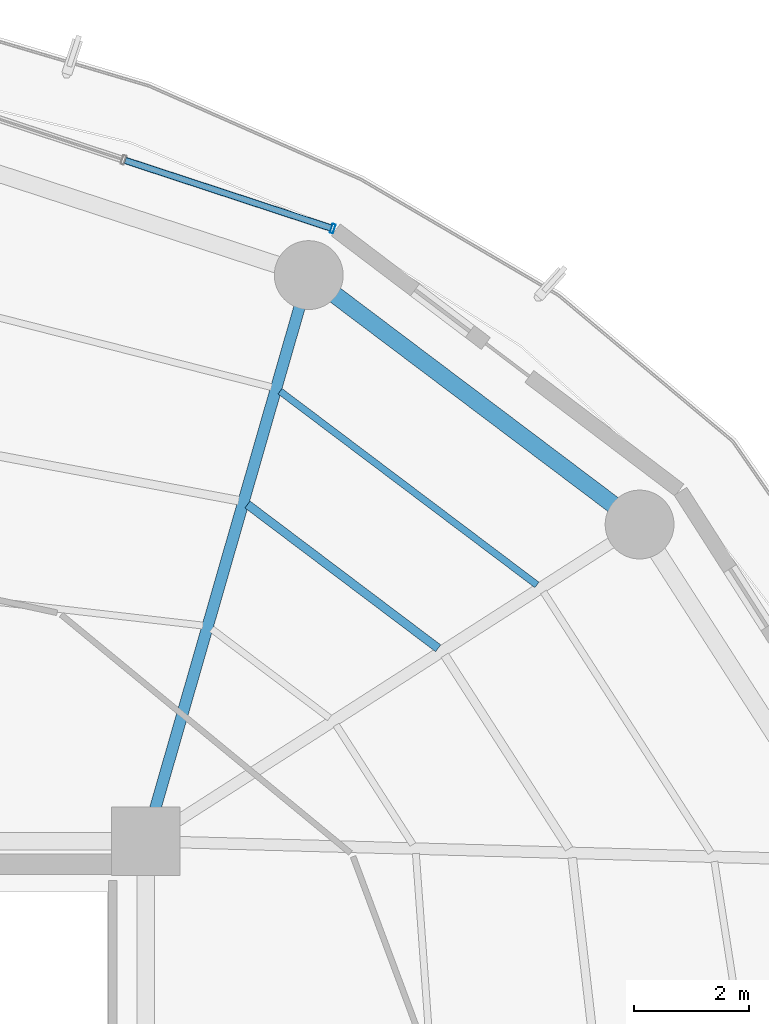
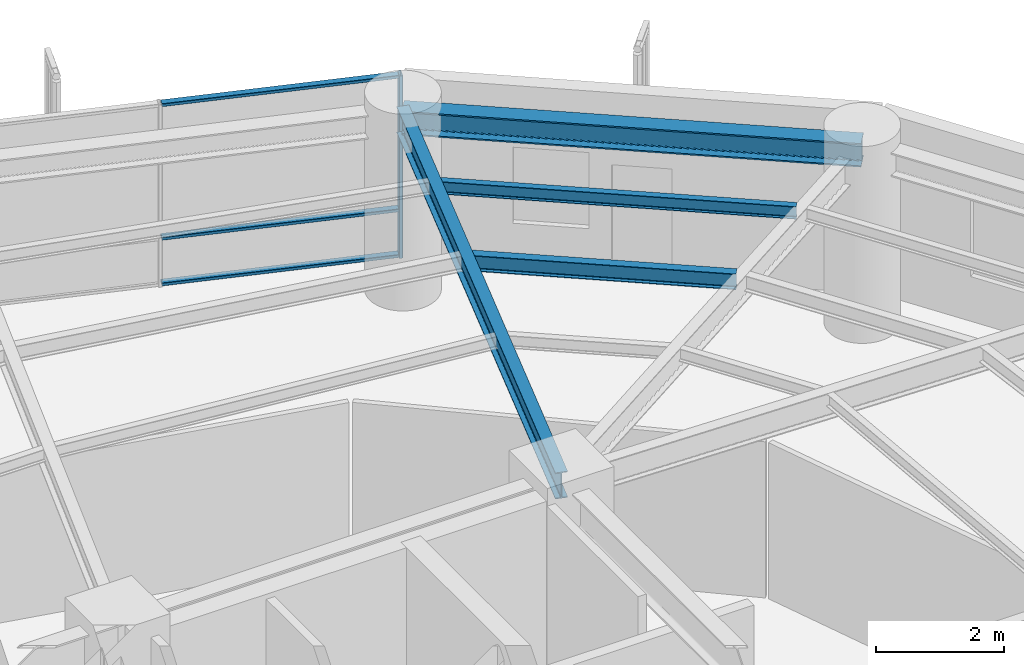
# One storey, part 20 of 28: 4 beams, 4 members, 1 element without a shape of its own.
"""IFC4 building model written with IfcOpenShell, lengths in metres."""

from ifc_helpers import new_model, si_unit, direction, frame, origin, origin_2d, place, context, subcontext, project, spatial, hollow_rectangle, i_section, extrude, material, layer, layer_set, material_profile, profile_set, type_object, element, aggregate, save


model = new_model("IFC4")

# Units and contexts
model_context = context("Model", 3, precision=1e-05, world=origin(), true_north=direction((0.0, 1.0)))
body_context = subcontext(model_context, "Body", "Model", "MODEL_VIEW")
ifc_project = project(units=[si_unit("LENGTHUNIT", "METRE"), si_unit("AREAUNIT", "SQUARE_METRE"), si_unit("VOLUMEUNIT", "CUBIC_METRE"), si_unit("PLANEANGLEUNIT", "RADIAN"), si_unit("MASSUNIT", "GRAM", prefix="KILO")], contexts=[model_context])

# Site, building, storey
site_placement = place(None, origin())
site = spatial("IfcSite", under=ifc_project, at=site_placement, CompositionType="ELEMENT")
building_placement = place(site_placement, origin())
building = spatial("IfcBuilding", under=site, at=building_placement, Name="Kelanora Arch Commons", CompositionType="ELEMENT")
storey_placement = place(building_placement, frame((0.0, 0.0, 158.10009765625)))
storey = spatial("IfcBuildingStorey", under=building, at=storey_placement, Name="L40", CompositionType="ELEMENT", Elevation=158.10009765625)

# Beams
ifc_material_1 = material(Name="Steel S355", Category="steel")
ifc_material_profile_1 = material_profile(ifc_material_1, i_section(OverallWidth=0.14990234375, OverallDepth=0.300048828125, WebThickness=0.007080078125, FlangeThickness=0.0107421875, FilletRadius=0.014892578125, at=origin_2d()), Name="IPE300")
ifc_profile_set_1 = profile_set([ifc_material_profile_1], Name="Steel S355")
beam_type_1 = type_object("IfcBeamType", Name="BM-JST-01", PredefinedType="JOIST", material=ifc_profile_set_1)
beam_1_placement = place(storey_placement, frame((87.0966796875, 68.364013671875, 3.33984375), z_axis=(-0.798463547891, 0.602043156833, 0.0), x_axis=(-0.602043156833, -0.798463547891, 0.0)))
element("IfcBeam", 1, at=beam_1_placement, inside=storey, type_object=beam_type_1, Name="Secondary Chord Joist BJB-04 L40", PredefinedType="JOIST", context=body_context, shape_type="SweptSolid", body=[
    extrude(i_section(OverallWidth=0.14990234375, OverallDepth=0.300048828125, WebThickness=0.007080078125, FlangeThickness=0.0107421875, FilletRadius=0.014892578125, at=origin_2d()), origin(), (0.0, 0.0, 1.0), 4.163818359375),
])
ifc_material_profile_2 = material_profile(ifc_material_1, i_section(OverallWidth=0.1201171875, OverallDepth=0.239990234375, WebThickness=0.006103515625, FlangeThickness=0.009765625, FilletRadius=0.014892578125, at=origin_2d()), Name="IPE240")
ifc_profile_set_2 = profile_set([ifc_material_profile_2], Name="Steel S355")
beam_type_2 = type_object("IfcBeamType", Name="BM-JST-02", PredefinedType="JOIST", material=ifc_profile_set_2)
beam_2_placement = place(storey_placement, frame((88.818359375, 69.468505859375, 3.369873046875), z_axis=(-0.798493128577, 0.602003923256, 0.0), x_axis=(-0.602003923256, -0.798493128577, 0.0)))
element("IfcBeam", 2, at=beam_2_placement, inside=storey, type_object=beam_type_2, Name="Secondary Chord Joist BJC-04 L40", PredefinedType="JOIST", context=body_context, shape_type="SweptSolid", body=[
    extrude(i_section(OverallWidth=0.1201171875, OverallDepth=0.239990234375, WebThickness=0.006103515625, FlangeThickness=0.009765625, FilletRadius=0.014892578125, at=origin_2d()), origin(), (0.0, 0.0, 1.0), 5.608642578125),
])
ifc_material_profile_3 = material_profile(ifc_material_1, i_section(OverallWidth=0.199951171875, OverallDepth=0.5, WebThickness=0.01025390625, FlangeThickness=0.01611328125, FilletRadius=0.02099609375, at=origin_2d()), Name="IPE500")
ifc_profile_set_3 = profile_set([ifc_material_profile_3], Name="Steel S355")
beam_type_3 = type_object("IfcBeamType", Name="BM-RAD-Z3", PredefinedType="BEAM", material=ifc_profile_set_3)
beam_3_placement = place(storey_placement, frame((82.0, 65.0, 3.239990234375), z_axis=(0.276525880065, 0.961006471182, 0.0), x_axis=(-0.961006471182, 0.276525880065, 0.0)))
element("IfcBeam", 3, at=beam_3_placement, inside=storey, type_object=beam_type_3, Name="Radial Floor Girder BR-06 L40", PredefinedType="BEAM", context=body_context, shape_type="SweptSolid", body=[
    extrude(i_section(OverallWidth=0.199951171875, OverallDepth=0.5, WebThickness=0.01025390625, FlangeThickness=0.01611328125, FilletRadius=0.02099609375, at=origin_2d()), origin(), (0.0, 0.0, 1.0), 10.2705078125),
])
ifc_material_profile_4 = material_profile(ifc_material_1, i_section(OverallWidth=0.300048828125, OverallDepth=0.449951171875, WebThickness=0.013916015625, FlangeThickness=0.02587890625, FilletRadius=0.027099609375, at=origin_2d()), Name="HEB450")
ifc_profile_set_4 = profile_set([ifc_material_profile_4], Name="Steel S355")
beam_type_4 = type_object("IfcBeamType", Name="BM-SPN-Z3", PredefinedType="SPANDREL", material=ifc_profile_set_4)
beam_4_placement = place(storey_placement, frame((90.60791015625, 70.521484375, 3.264892578125), z_axis=(-0.798484645564, 0.60201517489, 0.0), x_axis=(-0.60201517489, -0.798484645564, 0.0)))
element("IfcBeam", 4, at=beam_4_placement, inside=storey, type_object=beam_type_4, Name="Perimeter Spandrel Beam BS-04 L40", PredefinedType="SPANDREL", context=body_context, shape_type="SweptSolid", body=[
    extrude(i_section(OverallWidth=0.300048828125, OverallDepth=0.449951171875, WebThickness=0.013916015625, FlangeThickness=0.02587890625, FilletRadius=0.027099609375, at=origin_2d()), origin(), (0.0, 0.0, 1.0), 7.223388671875),
])

# Curtain wall, members
ifc_material_2 = material(Name="Terracotta ceramic-fritted low-E glass and aluminium", Category="masonry")
ifc_layer = layer(ifc_material_2, 0.175048828125)
ifc_layer_set = layer_set([ifc_layer], Name="Terracotta ceramic-fritted low-E glass and aluminium")
curtain_wall_type = type_object("IfcCurtainWallType", Name="CW-SYS-02", PredefinedType="NOTDEFINED", material=ifc_layer_set)
curtain_wall_placement = place(storey_placement, origin())
curtain_wall = element("IfcCurtainWall", 5, at=curtain_wall_placement, inside=storey, type_object=curtain_wall_type, Name="Unitised Curtain Wall L40-B03", PredefinedType="NOTDEFINED")
ifc_material_3 = material(Name="Powder-coated aluminium terracotta", Category="masonry")
ifc_material_profile_5 = material_profile(ifc_material_3, hollow_rectangle(XDim=0.159912109375, YDim=0.06005859375, WallThickness=0.0048828125, InnerFilletRadius=0.0048828125, OuterFilletRadius=0.010009765625, at=origin_2d()), Name="CWM160x60")
ifc_profile_set_5 = profile_set([ifc_material_profile_5], Name="Powder-coated aluminium terracotta")
member_type_1 = type_object("IfcMemberType", Name="CWM-STD", PredefinedType="MULLION", material=ifc_profile_set_5)
member_1_placement = place(storey_placement, frame((85.257080078125, 75.680908203125, 0.0), z_axis=(0.0, 0.0, 1.0), x_axis=(-0.312128279571, -0.95003996605, 0.0)))
member_1 = element("IfcMember", 6, at=member_1_placement, type_object=member_type_1, Name="CW-02 mullion 1", PredefinedType="MULLION", context=body_context, shape_type="SweptSolid", body=[
    extrude(hollow_rectangle(XDim=0.159912109375, YDim=0.06005859375, WallThickness=0.0048828125, InnerFilletRadius=0.0048828125, OuterFilletRadius=0.010009765625, at=origin_2d()), origin(), (0.0, 0.0, 1.0), 3.474853515625),
])
ifc_material_profile_6 = material_profile(ifc_material_3, hollow_rectangle(XDim=0.1201171875, YDim=0.06005859375, WallThickness=0.0048828125, InnerFilletRadius=0.0048828125, OuterFilletRadius=0.010009765625, at=origin_2d()), Name="CWT120x60")
ifc_profile_set_6 = profile_set([ifc_material_profile_6], Name="Powder-coated aluminium terracotta")
member_type_2 = type_object("IfcMemberType", Name="CWT-STD", PredefinedType="USERDEFINED", material=ifc_profile_set_6)
member_2_placement = place(storey_placement, frame((85.228759765625, 75.6904296875, 0.02978515625), z_axis=(-0.950051191155, 0.312094111104, 0.0), x_axis=(-0.312094111104, -0.950051191155, 0.0)))
member_2 = element("IfcMember", 7, at=member_2_placement, type_object=member_type_2, Name="CW-02 transom 1.1", ObjectType="TRANSOM", PredefinedType="USERDEFINED", context=body_context, shape_type="SweptSolid", body=[
    extrude(hollow_rectangle(XDim=0.1201171875, YDim=0.06005859375, WallThickness=0.0048828125, InnerFilletRadius=0.0048828125, OuterFilletRadius=0.010009765625, at=origin_2d()), origin(), (0.0, 0.0, 1.0), 3.77685546875),
])
member_3_placement = place(storey_placement, frame((85.228759765625, 75.6904296875, 0.89990234375), z_axis=(-0.950051191155, 0.312094111104, 0.0), x_axis=(-0.312094111104, -0.950051191155, 0.0)))
member_3 = element("IfcMember", 8, at=member_3_placement, type_object=member_type_2, Name="CW-02 transom 1.2", ObjectType="TRANSOM", PredefinedType="USERDEFINED", context=body_context, shape_type="SweptSolid", body=[
    extrude(hollow_rectangle(XDim=0.1201171875, YDim=0.06005859375, WallThickness=0.0048828125, InnerFilletRadius=0.0048828125, OuterFilletRadius=0.010009765625, at=origin_2d()), origin(), (0.0, 0.0, 1.0), 3.77685546875),
])
member_4_placement = place(storey_placement, frame((85.228759765625, 75.6904296875, 3.44482421875), z_axis=(-0.950051191155, 0.312094111104, 0.0), x_axis=(-0.312094111104, -0.950051191155, 0.0)))
member_4 = element("IfcMember", 9, at=member_4_placement, type_object=member_type_2, Name="CW-02 transom 1.3", ObjectType="TRANSOM", PredefinedType="USERDEFINED", context=body_context, shape_type="SweptSolid", body=[
    extrude(hollow_rectangle(XDim=0.1201171875, YDim=0.06005859375, WallThickness=0.0048828125, InnerFilletRadius=0.0048828125, OuterFilletRadius=0.010009765625, at=origin_2d()), origin(), (0.0, 0.0, 1.0), 3.77685546875),
])
aggregate(curtain_wall, [member_1, member_2, member_3, member_4])

save(model, "model.ifc")
